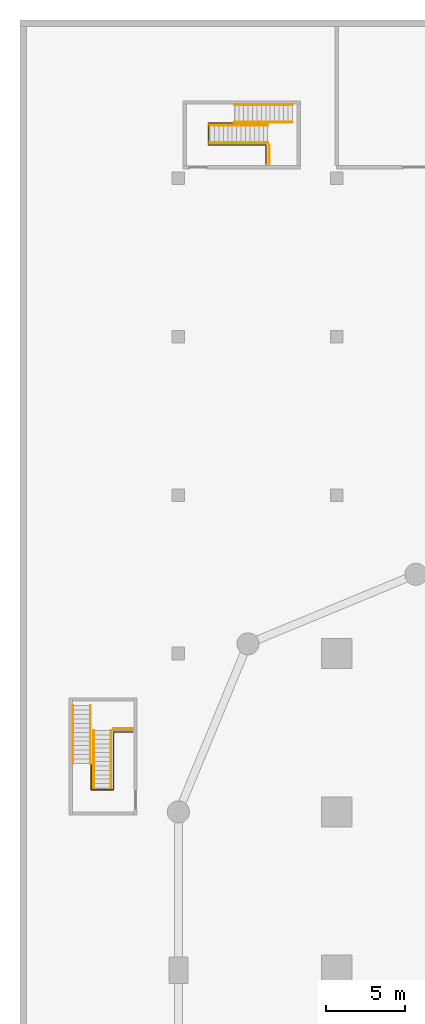
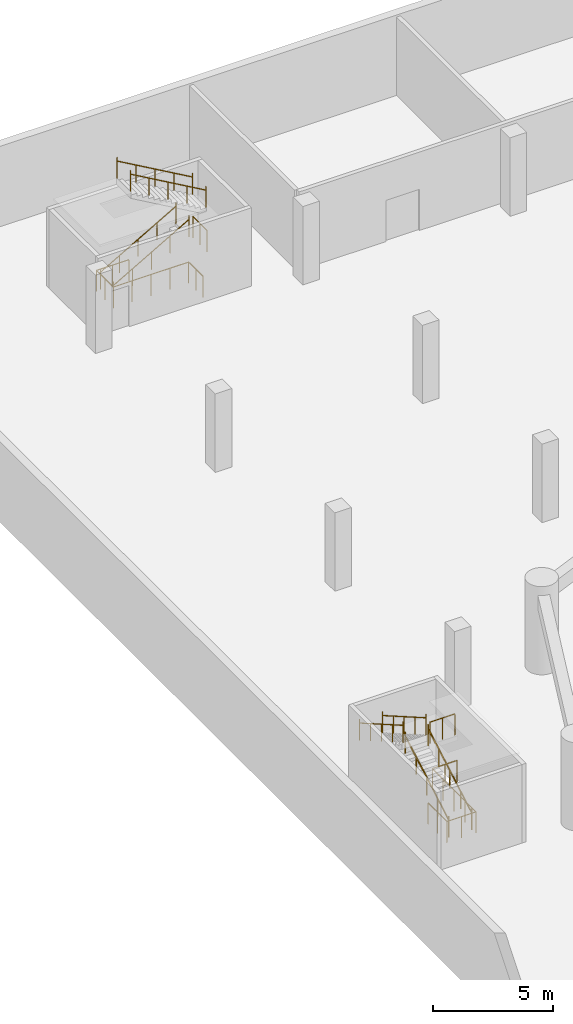
# One storey, part 16 of 19: 12 railings.
"""IFC4 building model written with IfcOpenShell, lengths in metres."""

from ifc_helpers import new_model, si_unit, direction, frame, origin, origin_2d, place, context, subcontext, project, spatial, circle, extrude, material, type_object, element, save


model = new_model("IFC4")

# Units and contexts
model_context = context("Model", 3, precision=1e-05, world=origin(), true_north=direction((0.0, 1.0)))
body_context = subcontext(model_context, "Body", "Model", "MODEL_VIEW")
ifc_project = project(units=[si_unit("LENGTHUNIT", "METRE"), si_unit("AREAUNIT", "SQUARE_METRE"), si_unit("VOLUMEUNIT", "CUBIC_METRE"), si_unit("PLANEANGLEUNIT", "RADIAN"), si_unit("MASSUNIT", "GRAM", prefix="KILO")], contexts=[model_context])

# Site, building, storey
site_placement = place(None, origin())
site = spatial("IfcSite", under=ifc_project, at=site_placement, CompositionType="ELEMENT")
building_placement = place(site_placement, origin())
building = spatial("IfcBuilding", under=site, at=building_placement, Name="Qaws Garden Tower", CompositionType="ELEMENT")
storey_placement = place(building_placement, frame((0.0, 0.0, -4.5)))
storey = spatial("IfcBuildingStorey", under=building, at=storey_placement, Name="B1", CompositionType="ELEMENT", Elevation=-4.5)

# Railings
ifc_material_1 = material(Name="Steel S355", Category="steel")
railing_type_1 = type_object("IfcRailingType", Name="Guard steel balustrade 1100", PredefinedType="GUARDRAIL", material=ifc_material_1)
railing_1_placement = place(storey_placement, frame((5.5400390625, 100.89990234375, 0.0)))
element("IfcRailing", 1, at=railing_1_placement, inside=storey, type_object=railing_type_1, Name="Stair opening guard", PredefinedType="GUARDRAIL", context=body_context, shape_type="SweptSolid", body=[
    extrude(circle(Radius=0.02392578125, at=origin_2d()), frame((0.0, 0.0, 1.076171875), z_axis=(0.0, 1.0, 0.0), x_axis=(-1.0, 0.0, 0.0)), (0.0, 0.0, 1.0), 1.2001953125),
    extrude(circle(Radius=0.02392578125, at=origin_2d()), frame((0.0, 1.2001953125, 1.076171875), z_axis=(-1.0, 0.0, 0.0), x_axis=(0.0, -1.0, 0.0)), (0.0, 0.0, 1.0), 3.64013671875),
    extrude(circle(Radius=0.02392578125, at=origin_2d()), frame((-3.64013671875, 1.2001953125, 1.076171875), z_axis=(0.0, 1.0, 0.0), x_axis=(-1.0, 0.0, 0.0)), (0.0, 0.0, 1.0), 1.39990234375),
    extrude(circle(Radius=0.02392578125, at=origin_2d()), frame((-3.64013671875, 2.60009765625, 1.076171875), z_axis=(1.0, 0.0, 0.0), x_axis=(0.0, 1.0, 0.0)), (0.0, 0.0, 1.0), 1.56005859375),
    extrude(circle(Radius=0.02099609375, at=origin_2d()), origin(), (0.0, 0.0, 1.0), 1.052001953125),
    extrude(circle(Radius=0.02099609375, at=origin_2d()), frame((0.0, 0.60009765625, 0.0)), (0.0, 0.0, 1.0), 1.052001953125),
    extrude(circle(Radius=0.02099609375, at=origin_2d()), frame((0.0, 1.2001953125, 0.0)), (0.0, 0.0, 1.0), 1.052001953125),
    extrude(circle(Radius=0.02099609375, at=origin_2d()), frame((-0.91015625, 1.2001953125, 0.0)), (0.0, 0.0, 1.0), 1.052001953125),
    extrude(circle(Radius=0.02099609375, at=origin_2d()), frame((-1.820068359375, 1.2001953125, 0.0)), (0.0, 0.0, 1.0), 1.052001953125),
    extrude(circle(Radius=0.02099609375, at=origin_2d()), frame((-2.72998046875, 1.2001953125, 0.0)), (0.0, 0.0, 1.0), 1.052001953125),
    extrude(circle(Radius=0.02099609375, at=origin_2d()), frame((-3.64013671875, 1.2001953125, 0.0)), (0.0, 0.0, 1.0), 1.052001953125),
    extrude(circle(Radius=0.02099609375, at=origin_2d()), frame((-3.64013671875, 1.900146484375, 0.0)), (0.0, 0.0, 1.0), 1.052001953125),
    extrude(circle(Radius=0.02099609375, at=origin_2d()), frame((-3.64013671875, 2.60009765625, 0.0)), (0.0, 0.0, 1.0), 1.052001953125),
    extrude(circle(Radius=0.02099609375, at=origin_2d()), frame((-2.860107421875, 2.60009765625, 0.0)), (0.0, 0.0, 1.0), 1.052001953125),
    extrude(circle(Radius=0.02099609375, at=origin_2d()), frame((-2.080078125, 2.60009765625, 0.0)), (0.0, 0.0, 1.0), 1.052001953125),
])
railing_2_placement = place(storey_placement, frame((5.739990234375, 100.89990234375, 2.25)))
element("IfcRailing", 2, at=railing_2_placement, inside=storey, type_object=railing_type_1, Name="Stair landing guard", PredefinedType="GUARDRAIL", context=body_context, shape_type="SweptSolid", body=[
    extrude(circle(Radius=0.02392578125, at=origin_2d()), frame((0.0, 0.0, 1.076171875), z_axis=(0.0, 1.0, 0.0), x_axis=(-1.0, 0.0, 0.0)), (0.0, 0.0, 1.0), 1.2001953125),
    extrude(circle(Radius=0.02099609375, at=origin_2d()), origin(), (0.0, 0.0, 1.0), 1.052001953125),
    extrude(circle(Radius=0.02099609375, at=origin_2d()), frame((0.0, 0.60009765625, 0.0)), (0.0, 0.0, 1.0), 1.052001953125),
    extrude(circle(Radius=0.02099609375, at=origin_2d()), frame((0.0, 1.2001953125, 0.0)), (0.0, 0.0, 1.0), 1.052001953125),
])
railing_3_placement = place(storey_placement, frame((-2.89990234375, 65.0400390625, 0.0)))
element("IfcRailing", 3, at=railing_3_placement, inside=storey, type_object=railing_type_1, Name="Stair opening guard", PredefinedType="GUARDRAIL", context=body_context, shape_type="SweptSolid", body=[
    extrude(circle(Radius=0.02392578125, at=origin_2d()), frame((0.0, 0.0, 1.076171875), z_axis=(-1.0, 0.0, 0.0), x_axis=(0.0, -1.0, 0.0)), (0.0, 0.0, 1.0), 1.2001953125),
    extrude(circle(Radius=0.02392578125, at=origin_2d()), frame((-1.2001953125, 0.0, 1.076171875), z_axis=(0.0, -1.0, 0.0), x_axis=(1.0, 0.0, 0.0)), (0.0, 0.0, 1.0), 3.64013671875),
    extrude(circle(Radius=0.02392578125, at=origin_2d()), frame((-1.2001953125, -3.64013671875, 1.076171875), z_axis=(-1.0, 0.0, 0.0), x_axis=(0.0, -1.0, 0.0)), (0.0, 0.0, 1.0), 1.39990234375),
    extrude(circle(Radius=0.02392578125, at=origin_2d()), frame((-2.60009765625, -3.64013671875, 1.076171875), z_axis=(0.0, 1.0, 0.0), x_axis=(-1.0, 0.0, 0.0)), (0.0, 0.0, 1.0), 1.56005859375),
    extrude(circle(Radius=0.02099609375, at=origin_2d()), origin(), (0.0, 0.0, 1.0), 1.052001953125),
    extrude(circle(Radius=0.02099609375, at=origin_2d()), frame((-0.60009765625, 0.0, 0.0)), (0.0, 0.0, 1.0), 1.052001953125),
    extrude(circle(Radius=0.02099609375, at=origin_2d()), frame((-1.2001953125, 0.0, 0.0)), (0.0, 0.0, 1.0), 1.052001953125),
    extrude(circle(Radius=0.02099609375, at=origin_2d()), frame((-1.2001953125, -0.91015625, 0.0)), (0.0, 0.0, 1.0), 1.052001953125),
    extrude(circle(Radius=0.02099609375, at=origin_2d()), frame((-1.2001953125, -1.820068359375, 0.0)), (0.0, 0.0, 1.0), 1.052001953125),
    extrude(circle(Radius=0.02099609375, at=origin_2d()), frame((-1.2001953125, -2.72998046875, 0.0)), (0.0, 0.0, 1.0), 1.052001953125),
    extrude(circle(Radius=0.02099609375, at=origin_2d()), frame((-1.2001953125, -3.64013671875, 0.0)), (0.0, 0.0, 1.0), 1.052001953125),
    extrude(circle(Radius=0.02099609375, at=origin_2d()), frame((-1.900146484375, -3.64013671875, 0.0)), (0.0, 0.0, 1.0), 1.052001953125),
    extrude(circle(Radius=0.02099609375, at=origin_2d()), frame((-2.60009765625, -3.64013671875, 0.0)), (0.0, 0.0, 1.0), 1.052001953125),
    extrude(circle(Radius=0.02099609375, at=origin_2d()), frame((-2.60009765625, -2.860107421875, 0.0)), (0.0, 0.0, 1.0), 1.052001953125),
    extrude(circle(Radius=0.02099609375, at=origin_2d()), frame((-2.60009765625, -2.080078125, 0.0)), (0.0, 0.0, 1.0), 1.052001953125),
])
railing_4_placement = place(storey_placement, frame((-2.89990234375, 65.239990234375, 2.25)))
element("IfcRailing", 4, at=railing_4_placement, inside=storey, type_object=railing_type_1, Name="Stair landing guard", PredefinedType="GUARDRAIL", context=body_context, shape_type="SweptSolid", body=[
    extrude(circle(Radius=0.02392578125, at=origin_2d()), frame((0.0, 0.0, 1.076171875), z_axis=(-1.0, 0.0, 0.0), x_axis=(0.0, -1.0, 0.0)), (0.0, 0.0, 1.0), 1.2001953125),
    extrude(circle(Radius=0.02099609375, at=origin_2d()), origin(), (0.0, 0.0, 1.0), 1.052001953125),
    extrude(circle(Radius=0.02099609375, at=origin_2d()), frame((-0.60009765625, 0.0, 0.0)), (0.0, 0.0, 1.0), 1.052001953125),
    extrude(circle(Radius=0.02099609375, at=origin_2d()), frame((-1.2001953125, 0.0, 0.0)), (0.0, 0.0, 1.0), 1.052001953125),
])
ifc_material_2 = material(Name="Stainless steel 316", Category="steel")
railing_type_2 = type_object("IfcRailingType", Name="Handrail 900", PredefinedType="HANDRAIL", material=ifc_material_2)
for number, where, name in (
    (5, (2.0, 102.25, 0.16064453125), "Stair handrail"),
    (6, (2.0, 103.35009765625, 0.16064453125), "Stair handrail"),
):
    element("IfcRailing", number, at=place(storey_placement, frame(where)), inside=storey, type_object=railing_type_2, Name=name, PredefinedType="HANDRAIL", context=body_context, shape_type="SweptSolid", body=[
        extrude(circle(Radius=0.02392578125, at=origin_2d()), frame((0.0, 0.0, 0.8759765625), z_axis=(0.8672749571, 0.0, 0.497829437445), x_axis=(0.0, 1.0, 0.0)), (0.0, 0.0, 1.0), 4.197021484375),
        extrude(circle(Radius=0.02099609375, at=origin_2d()), origin(), (0.0, 0.0, 1.0), 1.06103515625),
        extrude(circle(Radius=0.02099609375, at=origin_2d()), frame((0.909912109375, 0.0, 0.5224609375)), (0.0, 0.0, 1.0), 0.851806640625),
        extrude(circle(Radius=0.02099609375, at=origin_2d()), frame((1.81982421875, 0.0, 1.044677734375)), (0.0, 0.0, 1.0), 0.851806640625),
        extrude(circle(Radius=0.02099609375, at=origin_2d()), frame((2.72998046875, 0.0, 1.56689453125)), (0.0, 0.0, 1.0), 0.851806640625),
        extrude(circle(Radius=0.02099609375, at=origin_2d()), frame((3.639892578125, 0.0, 2.08935546875)), (0.0, 0.0, 1.0), 1.06103515625),
    ])
for number, where, name in (
    (7, (7.199951171875, 103.550048828125, 2.41064453125), "Stair handrail"),
    (8, (7.199951171875, 104.64990234375, 2.41064453125), "Stair handrail"),
):
    element("IfcRailing", number, at=place(storey_placement, frame(where)), inside=storey, type_object=railing_type_2, Name=name, PredefinedType="HANDRAIL", context=body_context, shape_type="SweptSolid", body=[
        extrude(circle(Radius=0.02392578125, at=origin_2d()), frame((0.0, 0.0, 0.8759765625), z_axis=(-0.8672749571, 0.0, 0.497829437445), x_axis=(0.0, -1.0, 0.0)), (0.0, 0.0, 1.0), 4.197021484375),
        extrude(circle(Radius=0.02099609375, at=origin_2d()), origin(), (0.0, 0.0, 1.0), 1.06103515625),
        extrude(circle(Radius=0.02099609375, at=origin_2d()), frame((-0.909912109375, 0.0, 0.5224609375)), (0.0, 0.0, 1.0), 0.851806640625),
        extrude(circle(Radius=0.02099609375, at=origin_2d()), frame((-1.81982421875, 0.0, 1.044677734375)), (0.0, 0.0, 1.0), 0.851806640625),
        extrude(circle(Radius=0.02099609375, at=origin_2d()), frame((-2.72998046875, 0.0, 1.56689453125)), (0.0, 0.0, 1.0), 0.851806640625),
        extrude(circle(Radius=0.02099609375, at=origin_2d()), frame((-3.639892578125, 0.0, 2.08935546875)), (0.0, 0.0, 1.0), 1.06103515625),
    ])
for number, where, name in (
    (9, (-4.25, 61.5, 0.16064453125), "Stair handrail"),
    (10, (-5.35009765625, 61.5, 0.16064453125), "Stair handrail"),
):
    element("IfcRailing", number, at=place(storey_placement, frame(where)), inside=storey, type_object=railing_type_2, Name=name, PredefinedType="HANDRAIL", context=body_context, shape_type="SweptSolid", body=[
        extrude(circle(Radius=0.02392578125, at=origin_2d()), frame((0.0, 0.0, 0.8759765625), z_axis=(0.0, 0.8672749571, 0.497829437445), x_axis=(-1.0, 0.0, 0.0)), (0.0, 0.0, 1.0), 4.197021484375),
        extrude(circle(Radius=0.02099609375, at=origin_2d()), origin(), (0.0, 0.0, 1.0), 1.06103515625),
        extrude(circle(Radius=0.02099609375, at=origin_2d()), frame((0.0, 0.909912109375, 0.5224609375)), (0.0, 0.0, 1.0), 0.851806640625),
        extrude(circle(Radius=0.02099609375, at=origin_2d()), frame((0.0, 1.81982421875, 1.044677734375)), (0.0, 0.0, 1.0), 0.851806640625),
        extrude(circle(Radius=0.02099609375, at=origin_2d()), frame((0.0, 2.72998046875, 1.56689453125)), (0.0, 0.0, 1.0), 0.851806640625),
        extrude(circle(Radius=0.02099609375, at=origin_2d()), frame((0.0, 3.639892578125, 2.08935546875)), (0.0, 0.0, 1.0), 1.06103515625),
    ])
for number, where, name in (
    (11, (-5.550048828125, 66.699951171875, 2.41064453125), "Stair handrail"),
    (12, (-6.64990234375, 66.699951171875, 2.41064453125), "Stair handrail"),
):
    element("IfcRailing", number, at=place(storey_placement, frame(where)), inside=storey, type_object=railing_type_2, Name=name, PredefinedType="HANDRAIL", context=body_context, shape_type="SweptSolid", body=[
        extrude(circle(Radius=0.02392578125, at=origin_2d()), frame((0.0, 0.0, 0.8759765625), z_axis=(0.0, -0.8672749571, 0.497829437445), x_axis=(1.0, 0.0, 0.0)), (0.0, 0.0, 1.0), 4.197021484375),
        extrude(circle(Radius=0.02099609375, at=origin_2d()), origin(), (0.0, 0.0, 1.0), 1.06103515625),
        extrude(circle(Radius=0.02099609375, at=origin_2d()), frame((0.0, -0.909912109375, 0.5224609375)), (0.0, 0.0, 1.0), 0.851806640625),
        extrude(circle(Radius=0.02099609375, at=origin_2d()), frame((0.0, -1.81982421875, 1.044677734375)), (0.0, 0.0, 1.0), 0.851806640625),
        extrude(circle(Radius=0.02099609375, at=origin_2d()), frame((0.0, -2.72998046875, 1.56689453125)), (0.0, 0.0, 1.0), 0.851806640625),
        extrude(circle(Radius=0.02099609375, at=origin_2d()), frame((0.0, -3.639892578125, 2.08935546875)), (0.0, 0.0, 1.0), 1.06103515625),
    ])

save(model, "model.ifc")
